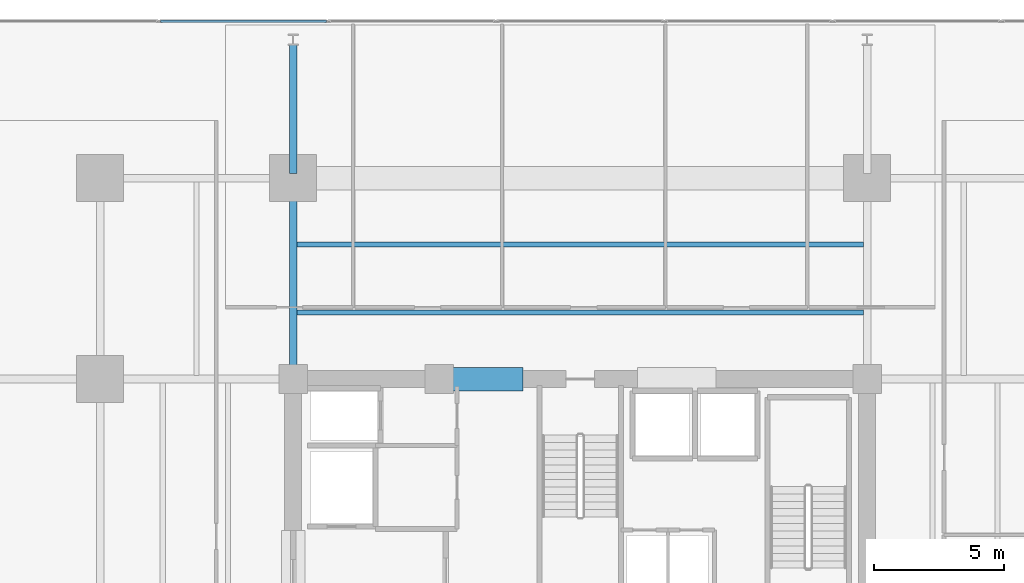
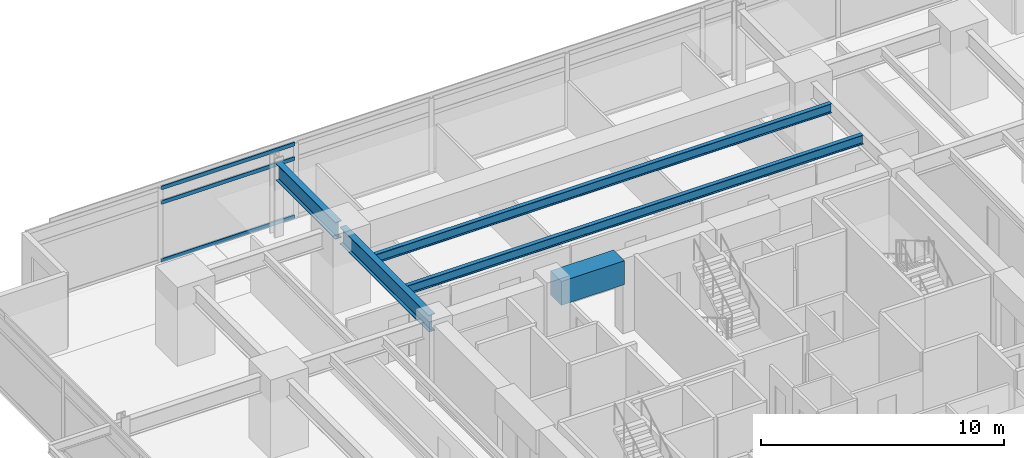
# One storey, part 8 of 24: 5 beams, 3 members, 1 element without a shape of its own.
"""IFC4 building model written with IfcOpenShell, lengths in metres."""

from ifc_helpers import new_model, si_unit, direction, frame, origin, origin_2d, place, context, subcontext, project, spatial, rectangle, hollow_rectangle, i_section, extrude, material, material_profile, profile_set, type_object, element, aggregate, save


model = new_model("IFC4")

# Units and contexts
model_context = context("Model", 3, precision=1e-05, world=origin(), true_north=direction((0.0, 1.0)))
body_context = subcontext(model_context, "Body", "Model", "MODEL_VIEW")
ifc_project = project(units=[si_unit("LENGTHUNIT", "METRE"), si_unit("AREAUNIT", "SQUARE_METRE"), si_unit("VOLUMEUNIT", "CUBIC_METRE"), si_unit("PLANEANGLEUNIT", "RADIAN"), si_unit("MASSUNIT", "GRAM", prefix="KILO")], contexts=[model_context])

# Site, building, storey
site_placement = place(None, origin())
site = spatial("IfcSite", under=ifc_project, at=site_placement, CompositionType="ELEMENT")
building_placement = place(site_placement, origin())
building = spatial("IfcBuilding", under=site, at=building_placement, Name="Kovane Verandah Tower", CompositionType="ELEMENT")
storey_placement = place(building_placement, frame((0.0, 0.0, 95.60009765625)))
storey = spatial("IfcBuildingStorey", under=building, at=storey_placement, Name="L22", CompositionType="ELEMENT", Elevation=95.60009765625)

# Beams
ifc_material_1 = material(Name="Concrete C80/95", Category="concrete")
ifc_material_profile_1 = material_profile(ifc_material_1, rectangle(XDim=0.89990234375, YDim=1.199951171875, at=origin_2d()), Name="RCB900x1200")
ifc_profile_set_1 = profile_set([ifc_material_profile_1], Name="Concrete C80/95")
beam_type_1 = type_object("IfcBeamType", Name="BM-LINTEL-900x1200", PredefinedType="LINTEL", material=ifc_profile_set_1)
beam_1_placement = place(storey_placement, frame((34.800048828125, 36.5, 3.159912109375), z_axis=(1.0, 0.0, 0.0), x_axis=(0.0, 1.0, 0.0)))
element("IfcBeam", 1, at=beam_1_placement, inside=storey, type_object=beam_type_1, Name="L22 Core Coupling Lintel CL-N1", PredefinedType="LINTEL", context=body_context, shape_type="SweptSolid", body=[
    extrude(rectangle(XDim=0.89990234375, YDim=1.199951171875, at=origin_2d()), origin(), (0.0, 0.0, 1.0), 3.0),
])
ifc_material_2 = material(Name="Steel S355", Category="steel")
ifc_material_profile_2 = material_profile(ifc_material_2, i_section(OverallWidth=0.293701171875, OverallDepth=0.850830078125, WebThickness=0.01611328125, FlangeThickness=0.02685546875, FilletRadius=0.017822265625, at=origin_2d()), Name="UB838x292x226")
ifc_profile_set_2 = profile_set([ifc_material_profile_2], Name="Steel S355")
beam_type_2 = type_object("IfcBeamType", Name="BM-UB838x226", PredefinedType="BEAM", material=ifc_profile_set_2)
beam_2_placement = place(storey_placement, frame((29.0, 36.679931640625, 3.33447265625), z_axis=(0.0, 1.0, 0.0), x_axis=(-1.0, 0.0, 0.0)))
element("IfcBeam", 2, at=beam_2_placement, inside=storey, type_object=beam_type_2, Name="L22 Primary Tower Girder G-N1", PredefinedType="BEAM", context=body_context, shape_type="SweptSolid", body=[
    extrude(i_section(OverallWidth=0.293701171875, OverallDepth=0.850830078125, WebThickness=0.01611328125, FlangeThickness=0.02685546875, FilletRadius=0.017822265625, at=origin_2d()), origin(), (0.0, 0.0, 1.0), 7.340087890625),
])
beam_3_placement = place(storey_placement, frame((29.0, 44.3798828125, 3.33447265625), z_axis=(0.0, 1.0, 0.0), x_axis=(-1.0, 0.0, 0.0)))
element("IfcBeam", 3, at=beam_3_placement, inside=storey, type_object=beam_type_2, Name="L22 Primary Tower Girder G-VN1", PredefinedType="BEAM", context=body_context, shape_type="SweptSolid", body=[
    extrude(i_section(OverallWidth=0.293701171875, OverallDepth=0.850830078125, WebThickness=0.01611328125, FlangeThickness=0.02685546875, FilletRadius=0.017822265625, at=origin_2d()), origin(), (0.0, 0.0, 1.0), 4.940185546875),
])

# Curtain wall, members
ifc_material_3 = material(Name="Champagne Anodised Aluminium Frame with Low-E Clear Laminated Glass", Category="aluminium")
curtain_wall_type = type_object("IfcCurtainWallType", Name="CW-SYS-02-LOW", PredefinedType="NOTDEFINED", material=ifc_material_3)
curtain_wall_placement = place(storey_placement, origin())
curtain_wall = element("IfcCurtainWall", 4, at=curtain_wall_placement, inside=storey, type_object=curtain_wall_type, Name="L22 N Unitised Curtain Wall", PredefinedType="NOTDEFINED")
ifc_material_4 = material(Name="Champagne Anodised Aluminium 6063-T6", Category="aluminium")
ifc_material_profile_3 = material_profile(ifc_material_4, hollow_rectangle(XDim=0.0849609375, YDim=0.18994140625, WallThickness=0.00390625, at=origin_2d()), Name="AL85x190x4")
ifc_profile_set_3 = profile_set([ifc_material_profile_3], Name="Champagne Anodised Aluminium 6063-T6")
member_type = type_object("IfcMemberType", Name="CW-TRN-85x190", PredefinedType="USERDEFINED", material=ifc_profile_set_3)
member_1_placement = place(storey_placement, frame((30.27001953125, 50.2109375, 0.0498046875), z_axis=(-1.0, 0.0, 0.0), x_axis=(0.0, -1.0, 0.0)))
member_1 = element("IfcMember", 5, at=member_1_placement, type_object=member_type, Name="L22 N Unitised Curtain Wall Transom TB Bay 6", ObjectType="TRANSOM", PredefinedType="USERDEFINED", context=body_context, shape_type="SweptSolid", body=[
    extrude(hollow_rectangle(XDim=0.0849609375, YDim=0.18994140625, WallThickness=0.00390625, at=origin_2d()), origin(), (0.0, 0.0, 1.0), 6.353515625),
])
member_2_placement = place(storey_placement, frame((30.27001953125, 50.2109375, 2.97998046875), z_axis=(-1.0, 0.0, 0.0), x_axis=(0.0, -1.0, 0.0)))
member_2 = element("IfcMember", 6, at=member_2_placement, type_object=member_type, Name="L22 N Unitised Curtain Wall Transom TM Bay 6", ObjectType="TRANSOM", PredefinedType="USERDEFINED", context=body_context, shape_type="SweptSolid", body=[
    extrude(hollow_rectangle(XDim=0.0849609375, YDim=0.18994140625, WallThickness=0.00390625, at=origin_2d()), origin(), (0.0, 0.0, 1.0), 6.353515625),
])
member_3_placement = place(storey_placement, frame((30.27001953125, 50.2109375, 3.7099609375), z_axis=(-1.0, 0.0, 0.0), x_axis=(0.0, -1.0, 0.0)))
member_3 = element("IfcMember", 7, at=member_3_placement, type_object=member_type, Name="L22 N Unitised Curtain Wall Transom TT Bay 6", ObjectType="TRANSOM", PredefinedType="USERDEFINED", context=body_context, shape_type="SweptSolid", body=[
    extrude(hollow_rectangle(XDim=0.0849609375, YDim=0.18994140625, WallThickness=0.00390625, at=origin_2d()), origin(), (0.0, 0.0, 1.0), 6.353515625),
])
aggregate(curtain_wall, [member_1, member_2, member_3])

# Beams
ifc_material_profile_4 = material_profile(ifc_material_2, i_section(OverallWidth=0.19287109375, OverallDepth=0.46728515625, WebThickness=0.011474609375, FlangeThickness=0.01953125, FilletRadius=0.01025390625, at=origin_2d()), Name="UB457x191x98")
ifc_profile_set_4 = profile_set([ifc_material_profile_4], Name="Steel S355")
beam_type_3 = type_object("IfcBeamType", Name="JST-UB457x98", PredefinedType="JOIST", material=ifc_profile_set_4)
for number, where, z_axis, x_axis, name in (
    (8, (29.14501953125, 39.050048828125, 3.5263671875), (1.0, 0.0, 0.0), (0.0, 1.0, 0.0), "L22 Secondary Composite Joist J-N1"),
    (9, (29.14501953125, 41.64990234375, 3.5263671875), (1.0, 0.0, 0.0), (0.0, 1.0, 0.0), "L22 Secondary Composite Joist J-N2"),
):
    element("IfcBeam", number, at=place(storey_placement, frame(where, z_axis=z_axis, x_axis=x_axis)), inside=storey, type_object=beam_type_3, Name=name, PredefinedType="JOIST", context=body_context, shape_type="SweptSolid", body=[
        extrude(i_section(OverallWidth=0.19287109375, OverallDepth=0.46728515625, WebThickness=0.011474609375, FlangeThickness=0.01953125, FilletRadius=0.01025390625, at=origin_2d()), origin(), (0.0, 0.0, 1.0), 21.7099609375),
    ])

save(model, "model.ifc")
